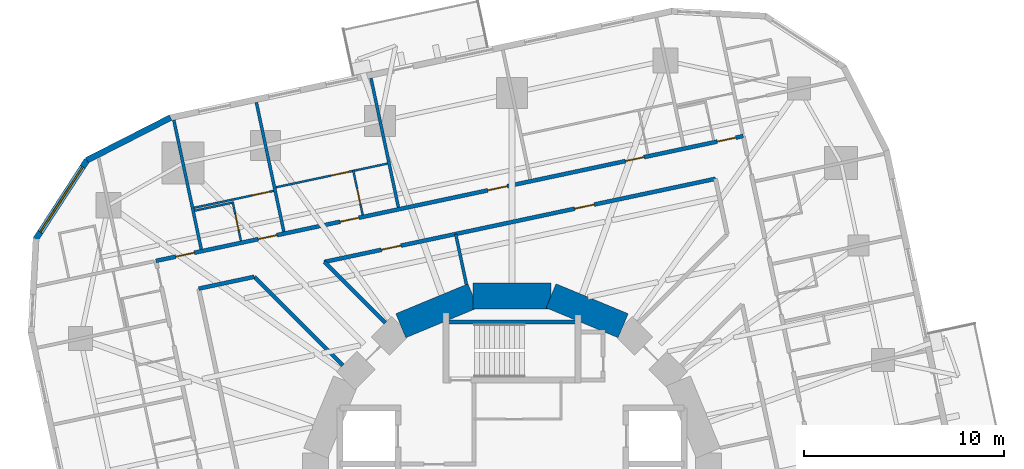
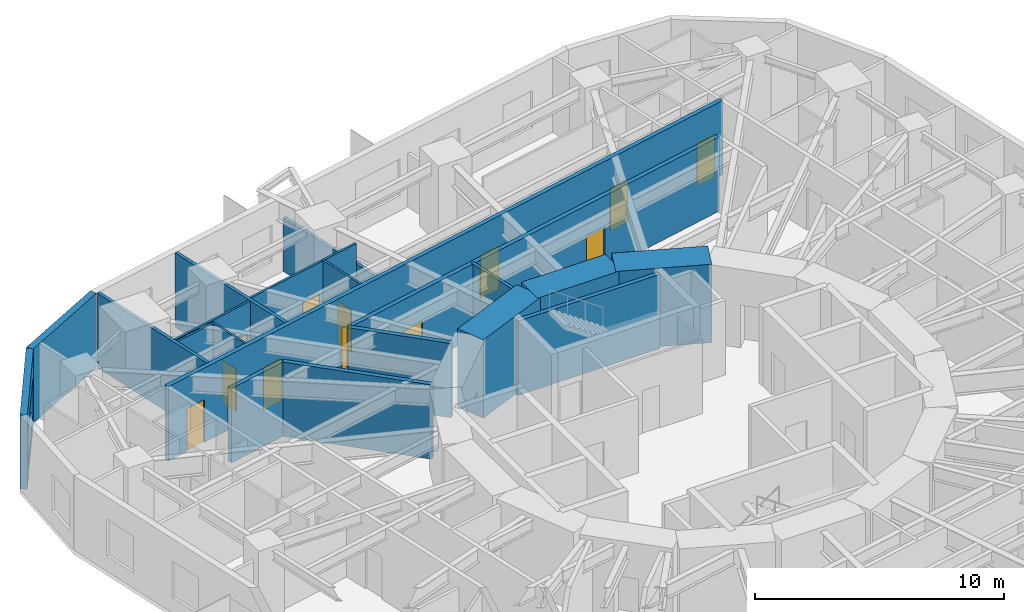
# One storey, part 10 of 14: 21 walls, 12 doors, 1 window, 13 openings.
"""IFC4 building model written with IfcOpenShell, lengths in metres."""

import ifcopenshell
import ifcopenshell.guid

model = None  # the IFC model being written
_history = None  # IfcOwnerHistory: only IFC2X3 demands one
_inside = {}  # id of a spatial element -> (the spatial element, [elements in it])
_under = {}  # id of a project, library or spatial element -> (it, [spatial elements below it])
_declared = {}  # id of a project -> (the project, [libraries it declares])
_typed = {}  # id of a type object -> (the type object, [elements of that type])
_made_of = {}  # id of a material, layer set ... -> (it, [elements and type objects made of it])


def new_model(schema):
    """Start an empty IFC model of exactly this schema.

    Asked for "IFC4X3", IfcOpenShell would pick the latest addendum, in which some entities
    have other attributes; the version numbers below select the first issue.
    IFC2X3 requires an IfcOwnerHistory on every rooted entity: one is made here for all.
    """
    global model, _history
    if schema == "IFC4X3":
        model = ifcopenshell.file(schema_version=(4, 3, 0, 0))
    else:
        model = ifcopenshell.file(schema=schema)
    _inside.clear()
    _under.clear()
    _declared.clear()
    _typed.clear()
    _made_of.clear()
    _history = None
    if model.schema == "IFC2X3":
        org = make("IfcOrganization", Name="unknown")
        user = make(
            "IfcPersonAndOrganization",
            ThePerson=make("IfcPerson", FamilyName="unknown"),
            TheOrganization=org,
        )
        app = make(
            "IfcApplication",
            ApplicationDeveloper=org,
            Version="unknown",
            ApplicationFullName="unknown",
            ApplicationIdentifier="unknown",
        )
        _history = make(
            "IfcOwnerHistory",
            OwningUser=user,
            OwningApplication=app,
            ChangeAction="ADDED",
            CreationDate=0,
        )
    return model


def make(cls, **values):
    """One entity of the class cls with the attributes given. An attribute that is None is left unset."""
    return model.create_entity(
        cls, **{name: value for name, value in values.items() if value is not None}
    )


def rooted(cls, **values):
    """An entity with a GlobalId (a new one), such as an element, a storey or a relation."""
    return make(cls, GlobalId=ifcopenshell.guid.new(), OwnerHistory=_history, **values)


def si_unit(unit_type, name, prefix=None):
    """IfcSIUnit, for example si_unit("LENGTHUNIT", "METRE", prefix="MILLI")."""
    return make("IfcSIUnit", UnitType=unit_type, Prefix=prefix, Name=name)


def assignment(units):
    """IfcUnitAssignment: the units of a project."""
    return None if units is None else make("IfcUnitAssignment", Units=units)


def point(xyz):
    """IfcCartesianPoint."""
    return None if xyz is None else make("IfcCartesianPoint", Coordinates=xyz)


def direction(xyz):
    """IfcDirection."""
    return None if xyz is None else make("IfcDirection", DirectionRatios=xyz)


def frame(location, z_axis=None, x_axis=None):
    """IfcAxis2Placement3D, a coordinate frame: its origin and axes. An axis left out is left unset."""
    return make(
        "IfcAxis2Placement3D",
        Location=point(location),
        Axis=direction(z_axis),
        RefDirection=direction(x_axis),
    )


def frame_2d(location, x_axis=None):
    """IfcAxis2Placement2D, a coordinate frame in the plane: its origin and x axis."""
    return make(
        "IfcAxis2Placement2D", Location=point(location), RefDirection=direction(x_axis)
    )


def origin():
    """The frame at (0, 0, 0) with its axes left unset."""
    return frame((0.0, 0.0, 0.0))


def place(relative_to, where):
    """IfcLocalPlacement: puts the frame where relative to a parent placement (None: the world)."""
    return make(
        "IfcLocalPlacement", PlacementRelTo=relative_to, RelativePlacement=where
    )


def context(
    kind, dimensions, precision=None, world=None, true_north=None, identifier=None
):
    """IfcGeometricRepresentationContext, for example the 3D "Model" context."""
    return make(
        "IfcGeometricRepresentationContext",
        ContextIdentifier=identifier,
        ContextType=kind,
        CoordinateSpaceDimension=dimensions,
        Precision=precision,
        WorldCoordinateSystem=world,
        TrueNorth=true_north,
    )


def subcontext(parent, identifier, kind, view, scale=None):
    """IfcGeometricRepresentationSubContext, for example "Body" below "Model"."""
    return make(
        "IfcGeometricRepresentationSubContext",
        ContextIdentifier=identifier,
        ContextType=kind,
        ParentContext=parent,
        TargetScale=scale,
        TargetView=view,
    )


def project(units=None, contexts=None):
    """IfcProject with its units and contexts."""
    return rooted(
        "IfcProject",
        Name="project",
        RepresentationContexts=contexts,
        UnitsInContext=assignment(units),
    )


def spatial(cls, under=None, at=None, **own):
    """A site, building, storey or space (cls), placed at a placement, below another one or the project."""
    s = rooted(cls, ObjectPlacement=at, **own)
    if under is not None:
        _under.setdefault(under.id(), (under, []))[1].append(s)
    return s


def profile(cls, at=None, kind="AREA", **sizes):
    """A parametric profile (cls). Its sizes go by their IFC names, for example OverallWidth=200.0."""
    return make(cls, ProfileType=kind, Position=at, **sizes)


def rectangle(**sizes):
    """IfcRectangleProfileDef."""
    return profile("IfcRectangleProfileDef", **sizes)


def extrude(swept, where, along, depth):
    """IfcExtrudedAreaSolid: the profile swept, set in the frame where, extruded along a direction by depth."""
    return make(
        "IfcExtrudedAreaSolid",
        SweptArea=swept,
        Position=where,
        ExtrudedDirection=direction(along),
        Depth=depth,
    )


def shape(context_of_items, identifier, shape_type, items):
    """IfcShapeRepresentation: the items that make up one representation, for example the "Body"."""
    return make(
        "IfcShapeRepresentation",
        ContextOfItems=context_of_items,
        RepresentationIdentifier=identifier,
        RepresentationType=shape_type,
        Items=items,
    )


def material(Name=None, Category=None):
    """IfcMaterial."""
    return make("IfcMaterial", Name=Name, Category=Category)


def layer(
    of_material, thickness, ventilated=None, Name=None, Category=None, Priority=None
):
    """IfcMaterialLayer: one layer of a wall or slab, of a material (None: an air gap)."""
    return make(
        "IfcMaterialLayer",
        Material=of_material,
        LayerThickness=thickness,
        IsVentilated=ventilated,
        Name=Name,
        Category=Category,
        Priority=Priority,
    )


def layer_set(layers, Name=None):
    """IfcMaterialLayerSet."""
    return make("IfcMaterialLayerSet", MaterialLayers=layers, LayerSetName=Name)


def made_of(thing, what):
    """Note that an element or type object is made of a material, layer set ...; save() writes the relation."""
    if what is not None:
        _made_of.setdefault(what.id(), (what, []))[1].append(thing)
    return thing


def type_object(cls, material=None, **own):
    """A type object (cls), such as IfcWallType, which elements share."""
    return made_of(rooted(cls, **own), material)


def element(
    cls,
    number,
    at=None,
    inside=None,
    cuts=None,
    type_object=None,
    material=None,
    context=None,
    identifier="Body",
    shape_type=None,
    held_by="IfcProductDefinitionShape",
    body=None,
    shapes=None,
    **own,
):
    """One element of the class cls, such as IfcWall. Its Tag is "e" and its number.

    at: its placement. inside: the storey or other place that contains it. cuts: it is an
    opening in that element (IfcRelVoidsElement). A single representation is given by context,
    identifier, shape_type and body (its items); several are given by shapes. held_by: the class
    of the entity that holds the representations. save() writes the other relations.
    """
    e = rooted(cls, Tag="e%d" % number, ObjectPlacement=at, **own)
    if body is not None:
        shapes = [shape(context, identifier, shape_type, body)]
    if shapes is not None:
        e.Representation = make(held_by, Representations=shapes)
    if inside is not None:
        _inside.setdefault(inside.id(), (inside, []))[1].append(e)
    if cuts is not None:
        rooted(
            "IfcRelVoidsElement", RelatingBuildingElement=cuts, RelatedOpeningElement=e
        )
    if type_object is not None:
        _typed.setdefault(type_object.id(), (type_object, []))[1].append(e)
    return made_of(e, material)


def fill(opening, filler):
    """IfcRelFillsElement: the door or window that sits in an opening."""
    return rooted(
        "IfcRelFillsElement",
        RelatingOpeningElement=opening,
        RelatedBuildingElement=filler,
    )


def aggregate(whole, parts):
    """IfcRelAggregates: a whole, such as a stair, and the parts it consists of."""
    return rooted("IfcRelAggregates", RelatingObject=whole, RelatedObjects=parts)


def save(model, path):
    """Write the relations noted so far, then the file.

    IfcRelAggregates (storeys below a building ...), IfcRelContainedInSpatialStructure (elements
    in a storey), IfcRelDefinesByType, IfcRelAssociatesMaterial and IfcRelDeclares: one each for
    every whole, place, type object, material and project.
    """
    for whole, parts in _under.values():
        aggregate(whole, parts)
    for where, things in _inside.values():
        rooted(
            "IfcRelContainedInSpatialStructure",
            RelatedElements=things,
            RelatingStructure=where,
        )
    for kind, things in _typed.values():
        rooted("IfcRelDefinesByType", RelatedObjects=things, RelatingType=kind)
    for what, things in _made_of.values():
        rooted("IfcRelAssociatesMaterial", RelatedObjects=things, RelatingMaterial=what)
    for by, libraries in _declared.values():
        rooted("IfcRelDeclares", RelatingContext=by, RelatedDefinitions=libraries)
    model.write(path)


model = new_model("IFC4")

# Units and contexts
model_context = context("Model", 3, precision=1e-05, world=origin(), true_north=direction((0.0, 1.0)))
body_context = subcontext(model_context, "Body", "Model", "MODEL_VIEW")
ifc_project = project(units=[si_unit("LENGTHUNIT", "METRE"), si_unit("AREAUNIT", "SQUARE_METRE"), si_unit("VOLUMEUNIT", "CUBIC_METRE"), si_unit("PLANEANGLEUNIT", "RADIAN"), si_unit("MASSUNIT", "GRAM", prefix="KILO")], contexts=[model_context])

# Site, building, storey
site_placement = place(None, origin())
site = spatial("IfcSite", under=ifc_project, at=site_placement, CompositionType="ELEMENT")
building_placement = place(site_placement, origin())
building = spatial("IfcBuilding", under=site, at=building_placement, Name="Nakasero Lantern House", CompositionType="ELEMENT")
storey_placement = place(building_placement, frame((0.0, 0.0, 116.550048828125)))
storey = spatial("IfcBuildingStorey", under=building, at=storey_placement, Name="L28", CompositionType="ELEMENT", Elevation=116.550048828125)

# Walls
ifc_material_1 = material(Name="Concrete C50/60", Category="concrete")
ifc_layer_1 = layer(ifc_material_1, 1.300048828125)
ifc_layer_set_1 = layer_set([ifc_layer_1], Name="Core wall 1300")
wall_type_1 = type_object("IfcWallType", Name="Core wall 1300", PredefinedType="SHEAR", material=ifc_layer_set_1)
for number, where, z_axis, x_axis, name in (
    (1, (5.5556640625, 8.314697265625, 0.0), (0.0, 0.0, 1.0), (-0.923876507187, 0.382690736062, 0.0), "Core wall L28 facet 3"),
    (2, (1.950927734375, 9.807861328125, 0.0), (0.0, 0.0, 1.0), (-1.0, 0.0, 0.0), "Core wall L28 facet 4"),
    (3, (-1.950927734375, 9.807861328125, 0.0), (0.0, 0.0, 1.0), (-0.923876507187, -0.382690736062, 0.0), "Core wall L28 facet 5"),
):
    element("IfcWall", number, at=place(storey_placement, frame(where, z_axis=z_axis, x_axis=x_axis)), inside=storey, type_object=wall_type_1, Name=name, PredefinedType="SHEAR", context=body_context, shape_type="SweptSolid", body=[
        extrude(rectangle(XDim=3.90185546875, YDim=1.300048828125, at=frame_2d((1.950927734375, 0.0))), origin(), (0.0, 0.0, 1.0), 3.849853515625),
    ])

# Wall, openings, doors
ifc_material_2 = material(Name="Blockwork", Category="masonry")
ifc_layer_2 = layer(ifc_material_2, 0.199951171875)
ifc_layer_set_2 = layer_set([ifc_layer_2], Name="Corridor wall 200")
wall_type_2 = type_object("IfcWallType", Name="Corridor wall 200", PredefinedType="PARTITIONING", material=ifc_layer_set_2)
wall_1_placement = place(storey_placement, frame((11.553466796875, 17.790771484375, 0.0), z_axis=(0.0, 0.0, 1.0), x_axis=(-0.978147639417, -0.207911508826, 0.0)))
wall_1 = element("IfcWall", 4, at=wall_1_placement, inside=storey, type_object=wall_type_2, Name="Corridor wall L28 CW1", PredefinedType="PARTITIONING", context=body_context, shape_type="SweptSolid", body=[
    extrude(rectangle(XDim=29.999755859375, YDim=0.199951171875, at=frame_2d((15.0, 0.0))), origin(), (0.0, 0.0, 1.0), 3.64990234375),
])
opening_1_placement = place(wall_1_placement, frame((0.375, 0.0, 0.0)))
opening_1 = element("IfcOpeningElement", 5, at=opening_1_placement, cuts=wall_1, Name="Opening D01", PredefinedType="OPENING", context=body_context, shape_type="SweptSolid", body=[
    extrude(rectangle(XDim=0.949951171875, YDim=2.10009765625, at=frame_2d((0.47509765625, 1.050048828125))), frame((0.0, 0.119873046875, 0.0), z_axis=(0.0, -1.0, 0.0), x_axis=(1.0, 0.0, 0.0)), (0.0, 0.0, 1.0), 0.239990234375),
])
opening_2_placement = place(wall_1_placement, frame((5.066162109375, 0.0, 0.0)))
opening_2 = element("IfcOpeningElement", 6, at=opening_2_placement, cuts=wall_1, Name="Opening D01", PredefinedType="OPENING", context=body_context, shape_type="SweptSolid", body=[
    extrude(rectangle(XDim=0.949951171875, YDim=2.10009765625, at=frame_2d((0.47509765625, 1.050048828125))), frame((0.0, 0.119873046875, 0.0), z_axis=(0.0, -1.0, 0.0), x_axis=(1.0, 0.0, 0.0)), (0.0, 0.0, 1.0), 0.239990234375),
])
opening_3_placement = place(wall_1_placement, frame((19.642578125, 0.0, 0.0)))
opening_3 = element("IfcOpeningElement", 7, at=opening_3_placement, cuts=wall_1, Name="Opening D01", PredefinedType="OPENING", context=body_context, shape_type="SweptSolid", body=[
    extrude(rectangle(XDim=0.949951171875, YDim=2.10009765625, at=frame_2d((0.47509765625, 1.050048828125))), frame((0.0, 0.119873046875, 0.0), z_axis=(0.0, -1.0, 0.0), x_axis=(1.0, 0.0, 0.0)), (0.0, 0.0, 1.0), 0.239990234375),
])
opening_4_placement = place(wall_1_placement, frame((23.8203125, 0.0, 0.0)))
opening_4 = element("IfcOpeningElement", 8, at=opening_4_placement, cuts=wall_1, Name="Opening D01", PredefinedType="OPENING", context=body_context, shape_type="SweptSolid", body=[
    extrude(rectangle(XDim=0.949951171875, YDim=2.10009765625, at=frame_2d((0.47509765625, 1.050048828125))), frame((0.0, 0.119873046875, 0.0), z_axis=(0.0, -1.0, 0.0), x_axis=(1.0, 0.0, 0.0)), (0.0, 0.0, 1.0), 0.239990234375),
])
opening_5_placement = place(wall_1_placement, frame((28.038330078125, 0.0, 0.0)))
opening_5 = element("IfcOpeningElement", 9, at=opening_5_placement, cuts=wall_1, Name="Opening D01", PredefinedType="OPENING", context=body_context, shape_type="SweptSolid", body=[
    extrude(rectangle(XDim=0.949951171875, YDim=2.10009765625, at=frame_2d((0.47509765625, 1.050048828125))), frame((0.0, 0.119873046875, 0.0), z_axis=(0.0, -1.0, 0.0), x_axis=(1.0, 0.0, 0.0)), (0.0, 0.0, 1.0), 0.239990234375),
])
opening_6_placement = place(wall_1_placement, frame((12.05517578125, 0.0, 0.0)))
opening_6 = element("IfcOpeningElement", 10, at=opening_6_placement, cuts=wall_1, Name="Opening D03", PredefinedType="OPENING", context=body_context, shape_type="SweptSolid", body=[
    extrude(rectangle(XDim=1.0, YDim=2.10009765625, at=frame_2d((0.5, 1.050048828125))), frame((0.0, 0.119873046875, 0.0), z_axis=(0.0, -1.0, 0.0), x_axis=(1.0, 0.0, 0.0)), (0.0, 0.0, 1.0), 0.239990234375),
])
ifc_material_3 = material(Name="Timber C24", Category="wood")
door_type_1 = type_object("IfcDoorType", Name="Bedroom door FD30S 950", OperationType="SINGLE_SWING_LEFT", PredefinedType="DOOR", material=ifc_material_3)
door_1_placement = place(opening_1_placement, origin())
door_1 = element("IfcDoor", 11, at=door_1_placement, inside=storey, type_object=door_type_1, Name="Door L28 D1-00", OperationType="SINGLE_SWING_LEFT", OverallHeight=2.10009765625, OverallWidth=0.949951171875, PredefinedType="DOOR", context=body_context, shape_type="SweptSolid", body=[
    extrude(rectangle(XDim=0.949951171875, YDim=2.10009765625, at=frame_2d((0.47509765625, 1.050048828125))), frame((0.0, 0.02490234375, 0.0), z_axis=(0.0, -1.0, 0.0), x_axis=(1.0, 0.0, 0.0)), (0.0, 0.0, 1.0), 0.050048828125),
])
fill(opening_1, door_1)
door_2_placement = place(opening_2_placement, origin())
door_2 = element("IfcDoor", 12, at=door_2_placement, inside=storey, type_object=door_type_1, Name="Door L28 D1-01", OperationType="SINGLE_SWING_LEFT", OverallHeight=2.10009765625, OverallWidth=0.949951171875, PredefinedType="DOOR", context=body_context, shape_type="SweptSolid", body=[
    extrude(rectangle(XDim=0.949951171875, YDim=2.10009765625, at=frame_2d((0.47509765625, 1.050048828125))), frame((0.0, 0.02490234375, 0.0), z_axis=(0.0, -1.0, 0.0), x_axis=(1.0, 0.0, 0.0)), (0.0, 0.0, 1.0), 0.050048828125),
])
fill(opening_2, door_2)
door_3_placement = place(opening_3_placement, origin())
door_3 = element("IfcDoor", 13, at=door_3_placement, inside=storey, type_object=door_type_1, Name="Door L28 D1-05", OperationType="SINGLE_SWING_RIGHT", OverallHeight=2.10009765625, OverallWidth=0.949951171875, PredefinedType="DOOR", context=body_context, shape_type="SweptSolid", body=[
    extrude(rectangle(XDim=0.949951171875, YDim=2.10009765625, at=frame_2d((0.47509765625, 1.050048828125))), frame((0.0, 0.02490234375, 0.0), z_axis=(0.0, -1.0, 0.0), x_axis=(1.0, 0.0, 0.0)), (0.0, 0.0, 1.0), 0.050048828125),
])
fill(opening_3, door_3)
door_4_placement = place(opening_4_placement, origin())
door_4 = element("IfcDoor", 14, at=door_4_placement, inside=storey, type_object=door_type_1, Name="Door L28 D1-07", OperationType="SINGLE_SWING_RIGHT", OverallHeight=2.10009765625, OverallWidth=0.949951171875, PredefinedType="DOOR", context=body_context, shape_type="SweptSolid", body=[
    extrude(rectangle(XDim=0.949951171875, YDim=2.10009765625, at=frame_2d((0.47509765625, 1.050048828125))), frame((0.0, 0.02490234375, 0.0), z_axis=(0.0, -1.0, 0.0), x_axis=(1.0, 0.0, 0.0)), (0.0, 0.0, 1.0), 0.050048828125),
])
fill(opening_4, door_4)
door_5_placement = place(opening_5_placement, origin())
door_5 = element("IfcDoor", 15, at=door_5_placement, inside=storey, type_object=door_type_1, Name="Door L28 D1-08", OperationType="SINGLE_SWING_RIGHT", OverallHeight=2.10009765625, OverallWidth=0.949951171875, PredefinedType="DOOR", context=body_context, shape_type="SweptSolid", body=[
    extrude(rectangle(XDim=0.949951171875, YDim=2.10009765625, at=frame_2d((0.47509765625, 1.050048828125))), frame((0.0, 0.02490234375, 0.0), z_axis=(0.0, -1.0, 0.0), x_axis=(1.0, 0.0, 0.0)), (0.0, 0.0, 1.0), 0.050048828125),
])
fill(opening_5, door_5)
ifc_material_4 = material(Name="Timber C24", Category="wood")
door_type_2 = type_object("IfcDoorType", Name="Lounge door FD30S 1000", OperationType="SINGLE_SWING_LEFT", PredefinedType="DOOR", material=ifc_material_4)
door_6_placement = place(opening_6_placement, origin())
door_6 = element("IfcDoor", 16, at=door_6_placement, inside=storey, type_object=door_type_2, Name="Door L28 DK1", OperationType="SINGLE_SWING_LEFT", OverallHeight=2.10009765625, OverallWidth=1.0, PredefinedType="DOOR", context=body_context, shape_type="SweptSolid", body=[
    extrude(rectangle(XDim=1.0, YDim=2.10009765625, at=frame_2d((0.5, 1.050048828125))), frame((0.0, 0.02490234375, 0.0), z_axis=(0.0, -1.0, 0.0), x_axis=(1.0, 0.0, 0.0)), (0.0, 0.0, 1.0), 0.050048828125),
])
fill(opening_6, door_6)

wall_2_placement = place(storey_placement, frame((10.1669921875, 15.656005859375, 0.0), z_axis=(0.0, 0.0, 1.0), x_axis=(-0.978147920132, -0.20791018816, 0.0)))
wall_2 = element("IfcWall", 17, at=wall_2_placement, inside=storey, type_object=wall_type_2, Name="Corridor wall L28 IW1-0", PredefinedType="PARTITIONING", context=body_context, shape_type="SweptSolid", body=[
    extrude(rectangle(XDim=19.983642578125, YDim=0.199951171875, at=frame_2d((9.99169921875, 0.0))), origin(), (0.0, 0.0, 1.0), 3.64990234375),
])
opening_7_placement = place(wall_2_placement, frame((6.197509765625, 0.0, 0.0)))
opening_7 = element("IfcOpeningElement", 18, at=opening_7_placement, cuts=wall_2, Name="Opening D07", PredefinedType="OPENING", context=body_context, shape_type="SweptSolid", body=[
    extrude(rectangle(XDim=1.0, YDim=2.10009765625, at=frame_2d((0.5, 1.050048828125))), frame((0.0, 0.119873046875, 0.0), z_axis=(0.0, -1.0, 0.0), x_axis=(1.0, 0.0, 0.0)), (0.0, 0.0, 1.0), 0.239990234375),
])
opening_8_placement = place(wall_2_placement, frame((16.064208984375, 0.0, 0.0)))
opening_8 = element("IfcOpeningElement", 19, at=opening_8_placement, cuts=wall_2, Name="Opening D07", PredefinedType="OPENING", context=body_context, shape_type="SweptSolid", body=[
    extrude(rectangle(XDim=1.0, YDim=2.10009765625, at=frame_2d((0.5, 1.050048828125))), frame((0.0, 0.119873046875, 0.0), z_axis=(0.0, -1.0, 0.0), x_axis=(1.0, 0.0, 0.0)), (0.0, 0.0, 1.0), 0.239990234375),
])
ifc_material_5 = material(Name="Timber C24", Category="wood")
door_type_3 = type_object("IfcDoorType", Name="Room door FD30S 1000", OperationType="SINGLE_SWING_LEFT", PredefinedType="DOOR", material=ifc_material_5)
door_7_placement = place(opening_7_placement, origin())
door_7 = element("IfcDoor", 20, at=door_7_placement, inside=storey, type_object=door_type_3, Name="Door L28 DI5", OperationType="SINGLE_SWING_LEFT", OverallHeight=2.10009765625, OverallWidth=1.0, PredefinedType="DOOR", context=body_context, shape_type="SweptSolid", body=[
    extrude(rectangle(XDim=1.0, YDim=2.10009765625, at=frame_2d((0.5, 1.050048828125))), frame((0.0, 0.02490234375, 0.0), z_axis=(0.0, -1.0, 0.0), x_axis=(1.0, 0.0, 0.0)), (0.0, 0.0, 1.0), 0.050048828125),
])
fill(opening_7, door_7)
door_8_placement = place(opening_8_placement, origin())
door_8 = element("IfcDoor", 21, at=door_8_placement, inside=storey, type_object=door_type_3, Name="Door L28 DI6", OperationType="SINGLE_SWING_RIGHT", OverallHeight=2.10009765625, OverallWidth=1.0, PredefinedType="DOOR", context=body_context, shape_type="SweptSolid", body=[
    extrude(rectangle(XDim=1.0, YDim=2.10009765625, at=frame_2d((0.5, 1.050048828125))), frame((0.0, 0.02490234375, 0.0), z_axis=(0.0, -1.0, 0.0), x_axis=(1.0, 0.0, 0.0)), (0.0, 0.0, 1.0), 0.050048828125),
])
fill(opening_8, door_8)

# Walls
wall_3_placement = place(storey_placement, frame((-12.878662109375, 10.75732421875, 0.0), z_axis=(0.0, 0.0, 1.0), x_axis=(-0.97814836043, -0.207908116695, 0.0)))
element("IfcWall", 22, at=wall_3_placement, inside=storey, type_object=wall_type_2, Name="Corridor wall L28 IW1-1", PredefinedType="PARTITIONING", context=body_context, shape_type="SweptSolid", body=[
    extrude(rectangle(XDim=2.83935546875, YDim=0.199951171875, at=frame_2d((1.419677734375, 0.0))), origin(), (0.0, 0.0, 1.0), 3.64990234375),
])
wall_4_placement = place(storey_placement, frame((-8.45556640625, 6.334228515625, 0.0), z_axis=(0.0, 0.0, 1.0), x_axis=(-0.707106781187, 0.707106781187, 0.0)))
element("IfcWall", 23, at=wall_4_placement, inside=storey, type_object=wall_type_2, Name="Corridor wall L28 PS06a", PredefinedType="PARTITIONING", context=body_context, shape_type="SweptSolid", body=[
    extrude(rectangle(XDim=6.255126953125, YDim=0.199951171875, at=frame_2d((3.12744140625, 0.0))), origin(), (0.0, 0.0, 1.0), 3.64990234375),
])
wall_5_placement = place(storey_placement, frame((-6.334228515625, 8.45556640625, 0.0), z_axis=(0.0, 0.0, 1.0), x_axis=(-0.707106781187, 0.707106781187, 0.0)))
element("IfcWall", 24, at=wall_5_placement, inside=storey, type_object=wall_type_2, Name="Corridor wall L28 PS06b", PredefinedType="PARTITIONING", context=body_context, shape_type="SweptSolid", body=[
    extrude(rectangle(XDim=4.30712890625, YDim=0.199951171875, at=frame_2d((2.153564453125, 0.0))), origin(), (0.0, 0.0, 1.0), 3.64990234375),
])

# Wall, opening, door
ifc_material_6 = material(Name="Blockwork", Category="masonry")
ifc_layer_3 = layer(ifc_material_6, 0.10009765625)
ifc_layer_set_3 = layer_set([ifc_layer_3], Name="En-suite wall 100")
wall_type_3 = type_object("IfcWallType", Name="En-suite wall 100", PredefinedType="PARTITIONING", material=ifc_layer_set_3)
wall_6_placement = place(storey_placement, frame((-7.46044921875, 13.8515625, 0.0), z_axis=(0.0, 0.0, 1.0), x_axis=(-0.207941273027, 0.978141312374, 0.0)))
wall_6 = element("IfcWall", 25, at=wall_6_placement, inside=storey, type_object=wall_type_3, Name="En-suite wall L28 ES1-05", PredefinedType="PARTITIONING", context=body_context, shape_type="SweptSolid", body=[
    extrude(rectangle(XDim=2.300048828125, YDim=0.10009765625, at=frame_2d((1.14990234375, 0.0))), origin(), (0.0, 0.0, 1.0), 3.64990234375),
])
opening_9_placement = place(wall_6_placement, frame((0.550048828125, 0.0, 0.0)))
opening_9 = element("IfcOpeningElement", 26, at=opening_9_placement, cuts=wall_6, Name="Opening D02", PredefinedType="OPENING", context=body_context, shape_type="SweptSolid", body=[
    extrude(rectangle(XDim=0.800048828125, YDim=2.10009765625, at=frame_2d((0.39990234375, 1.050048828125))), frame((0.0, 0.070068359375, 0.0), z_axis=(0.0, -1.0, 0.0), x_axis=(1.0, 0.0, 0.0)), (0.0, 0.0, 1.0), 0.14013671875),
])
ifc_material_7 = material(Name="Timber C24", Category="wood")
door_type_4 = type_object("IfcDoorType", Name="En-suite door 800", OperationType="SINGLE_SWING_RIGHT", PredefinedType="DOOR", material=ifc_material_7)
door_9_placement = place(opening_9_placement, origin())
door_9 = element("IfcDoor", 27, at=door_9_placement, inside=storey, type_object=door_type_4, Name="Door L28 DE1-05", OperationType="SINGLE_SWING_LEFT", OverallHeight=2.10009765625, OverallWidth=0.800048828125, PredefinedType="DOOR", context=body_context, shape_type="SweptSolid", body=[
    extrude(rectangle(XDim=0.800048828125, YDim=2.10009765625, at=frame_2d((0.39990234375, 1.050048828125))), frame((0.0, 0.02490234375, 0.0), z_axis=(0.0, -1.0, 0.0), x_axis=(1.0, 0.0, 0.0)), (0.0, 0.0, 1.0), 0.050048828125),
])
fill(opening_9, door_9)

# Wall
wall_7_placement = place(storey_placement, frame((-6.216552734375, 16.416259765625, 0.0), z_axis=(0.0, 0.0, 1.0), x_axis=(-0.97813950236, -0.207949787024, 0.0)))
element("IfcWall", 28, at=wall_7_placement, inside=storey, type_object=wall_type_3, Name="En-suite wall L28 EE1-05", PredefinedType="PARTITIONING", context=body_context, shape_type="SweptSolid", body=[
    extrude(rectangle(XDim=1.699951171875, YDim=0.10009765625, at=frame_2d((0.85009765625, 0.0))), origin(), (0.0, 0.0, 1.0), 3.64990234375),
])

# Wall, opening, door
wall_8_placement = place(storey_placement, frame((-13.54541015625, 12.55810546875, 0.0), z_axis=(0.0, 0.0, 1.0), x_axis=(-0.207886494942, 0.978152955943, 0.0)))
wall_8 = element("IfcWall", 29, at=wall_8_placement, inside=storey, type_object=wall_type_3, Name="En-suite wall L28 ES1-07", PredefinedType="PARTITIONING", context=body_context, shape_type="SweptSolid", body=[
    extrude(rectangle(XDim=2.0, YDim=0.10009765625, at=frame_2d((1.0, 0.0))), origin(), (0.0, 0.0, 1.0), 3.64990234375),
])
opening_10_placement = place(wall_8_placement, frame((0.550048828125, 0.0, 0.0)))
opening_10 = element("IfcOpeningElement", 30, at=opening_10_placement, cuts=wall_8, Name="Opening D02", PredefinedType="OPENING", context=body_context, shape_type="SweptSolid", body=[
    extrude(rectangle(XDim=0.800048828125, YDim=2.10009765625, at=frame_2d((0.39990234375, 1.050048828125))), frame((0.0, 0.070068359375, 0.0), z_axis=(0.0, -1.0, 0.0), x_axis=(1.0, 0.0, 0.0)), (0.0, 0.0, 1.0), 0.14013671875),
])
door_10_placement = place(opening_10_placement, origin())
door_10 = element("IfcDoor", 31, at=door_10_placement, inside=storey, type_object=door_type_4, Name="Door L28 DE1-07", OperationType="SINGLE_SWING_LEFT", OverallHeight=2.10009765625, OverallWidth=0.800048828125, PredefinedType="DOOR", context=body_context, shape_type="SweptSolid", body=[
    extrude(rectangle(XDim=0.800048828125, YDim=2.10009765625, at=frame_2d((0.39990234375, 1.050048828125))), frame((0.0, 0.02490234375, 0.0), z_axis=(0.0, -1.0, 0.0), x_axis=(1.0, 0.0, 0.0)), (0.0, 0.0, 1.0), 0.050048828125),
])
fill(opening_10, door_10)

# Wall
wall_9_placement = place(storey_placement, frame((-13.999755859375, 14.455078125, 0.0), z_axis=(0.0, 0.0, 1.0), x_axis=(-0.978147092378, -0.207914082431, 0.0)))
element("IfcWall", 32, at=wall_9_placement, inside=storey, type_object=wall_type_3, Name="En-suite wall L28 EE1-07", PredefinedType="PARTITIONING", context=body_context, shape_type="SweptSolid", body=[
    extrude(rectangle(XDim=1.89990234375, YDim=0.10009765625, at=frame_2d((0.949951171875, 0.0))), origin(), (0.0, 0.0, 1.0), 3.64990234375),
])

# Wall, opening, door
wall_10_placement = place(storey_placement, frame((-7.977294921875, 16.0419921875, 0.0), z_axis=(0.0, 0.0, 1.0), x_axis=(-0.978141676897, -0.207939558327, 0.0)))
wall_10 = element("IfcWall", 33, at=wall_10_placement, inside=storey, type_object=wall_type_3, Name="En-suite wall L28 EL1-05", PredefinedType="PARTITIONING", context=body_context, shape_type="SweptSolid", body=[
    extrude(rectangle(XDim=3.902587890625, YDim=0.10009765625, at=frame_2d((1.951171875, 0.0))), origin(), (0.0, 0.0, 1.0), 3.64990234375),
])
opening_11_placement = place(wall_10_placement, frame((0.199951171875, 0.0, 0.0)))
opening_11 = element("IfcOpeningElement", 34, at=opening_11_placement, cuts=wall_10, Name="Opening D17", PredefinedType="OPENING", context=body_context, shape_type="SweptSolid", body=[
    extrude(rectangle(XDim=0.89990234375, YDim=2.10009765625, at=frame_2d((0.449951171875, 1.050048828125))), frame((0.0, 0.070068359375, 0.0), z_axis=(0.0, -1.0, 0.0), x_axis=(1.0, 0.0, 0.0)), (0.0, 0.0, 1.0), 0.14013671875),
])
ifc_material_8 = material(Name="Timber C24", Category="wood")
door_type_5 = type_object("IfcDoorType", Name="Bedroom door FD30S 900", OperationType="SINGLE_SWING_LEFT", PredefinedType="DOOR", material=ifc_material_8)
door_11_placement = place(opening_11_placement, origin())
door_11 = element("IfcDoor", 35, at=door_11_placement, inside=storey, type_object=door_type_5, Name="Door L28 DL1-05", OperationType="SINGLE_SWING_LEFT", OverallHeight=2.10009765625, OverallWidth=0.89990234375, PredefinedType="DOOR", context=body_context, shape_type="SweptSolid", body=[
    extrude(rectangle(XDim=0.89990234375, YDim=2.10009765625, at=frame_2d((0.449951171875, 1.050048828125))), frame((0.0, 0.02490234375, 0.0), z_axis=(0.0, -1.0, 0.0), x_axis=(1.0, 0.0, 0.0)), (0.0, 0.0, 1.0), 0.050048828125),
])
fill(opening_11, door_11)

wall_11_placement = place(storey_placement, frame((-11.91015625, 15.052734375, 0.0), z_axis=(0.0, 0.0, 1.0), x_axis=(-0.978141002414, -0.207942731049, 0.0)))
wall_11 = element("IfcWall", 36, at=wall_11_placement, inside=storey, type_object=wall_type_3, Name="En-suite wall L28 EL1-07", PredefinedType="PARTITIONING", context=body_context, shape_type="SweptSolid", body=[
    extrude(rectangle(XDim=4.068115234375, YDim=0.10009765625, at=frame_2d((2.0341796875, 0.0))), origin(), (0.0, 0.0, 1.0), 3.64990234375),
])
opening_12_placement = place(wall_11_placement, frame((0.199951171875, 0.0, 0.0)))
opening_12 = element("IfcOpeningElement", 37, at=opening_12_placement, cuts=wall_11, Name="Opening D17", PredefinedType="OPENING", context=body_context, shape_type="SweptSolid", body=[
    extrude(rectangle(XDim=0.89990234375, YDim=2.10009765625, at=frame_2d((0.449951171875, 1.050048828125))), frame((0.0, 0.070068359375, 0.0), z_axis=(0.0, -1.0, 0.0), x_axis=(1.0, 0.0, 0.0)), (0.0, 0.0, 1.0), 0.14013671875),
])
door_12_placement = place(opening_12_placement, origin())
door_12 = element("IfcDoor", 38, at=door_12_placement, inside=storey, type_object=door_type_5, Name="Door L28 DL1-07", OperationType="SINGLE_SWING_LEFT", OverallHeight=2.10009765625, OverallWidth=0.89990234375, PredefinedType="DOOR", context=body_context, shape_type="SweptSolid", body=[
    extrude(rectangle(XDim=0.89990234375, YDim=2.10009765625, at=frame_2d((0.449951171875, 1.050048828125))), frame((0.0, 0.02490234375, 0.0), z_axis=(0.0, -1.0, 0.0), x_axis=(1.0, 0.0, 0.0)), (0.0, 0.0, 1.0), 0.050048828125),
])
fill(opening_12, door_12)

# Wall
ifc_material_9 = material(Name="Aluminium rainscreen on blockwork", Category="masonry")
ifc_layer_4 = layer(ifc_material_9, 0.300048828125)
ifc_layer_set_4 = layer_set([ifc_layer_4], Name="Facade wall 300")
wall_type_4 = type_object("IfcWallType", Name="Facade wall 300", PredefinedType="SOLIDWALL", material=ifc_layer_set_4)
wall_12_placement = place(storey_placement, frame((-17.063232421875, 18.711181640625, 0.0), z_axis=(0.0, 0.0, 1.0), x_axis=(-0.89101404178, -0.453975745332, 0.0)))
element("IfcWall", 39, at=wall_12_placement, inside=storey, type_object=wall_type_4, Name="Facade wall L28 FW1C1", PredefinedType="SOLIDWALL", context=body_context, shape_type="SweptSolid", body=[
    extrude(rectangle(XDim=4.6845703125, YDim=0.300048828125, at=frame_2d((2.34228515625, 0.0))), origin(), (0.0, 0.0, 1.0), 3.64990234375),
])

# Wall, opening, window
wall_13_placement = place(storey_placement, frame((-21.2373046875, 16.58447265625, 0.0), z_axis=(0.0, 0.0, 1.0), x_axis=(-0.544605442853, -0.838692381994, 0.0)))
wall_13 = element("IfcWall", 40, at=wall_13_placement, inside=storey, type_object=wall_type_4, Name="Facade wall L28 FW1C2", PredefinedType="SOLIDWALL", context=body_context, shape_type="SweptSolid", body=[
    extrude(rectangle(XDim=4.6845703125, YDim=0.300048828125, at=frame_2d((2.34228515625, 0.0))), origin(), (0.0, 0.0, 1.0), 3.64990234375),
])
opening_13_placement = place(wall_13_placement, frame((0.39990234375, 0.0, 0.75)))
opening_13 = element("IfcOpeningElement", 41, at=opening_13_placement, cuts=wall_13, Name="Opening W238", PredefinedType="OPENING", context=body_context, shape_type="SweptSolid", body=[
    extrude(rectangle(XDim=3.885009765625, YDim=1.800048828125, at=frame_2d((1.9423828125, 0.89990234375))), frame((0.0, 0.169921875, 0.0), z_axis=(0.0, -1.0, 0.0), x_axis=(1.0, 0.0, 0.0)), (0.0, 0.0, 1.0), 0.340087890625),
])
ifc_material_10 = material(Name="Aluminium 6063-T6 and glass", Category="aluminium")
window_type = type_object("IfcWindowType", Name="Corner window 3885x1800", PartitioningType="SINGLE_PANEL", PredefinedType="WINDOW", material=ifc_material_10)
window_placement = place(opening_13_placement, origin())
window = element("IfcWindow", 42, at=window_placement, inside=storey, type_object=window_type, Name="Window L28 WC1", OverallHeight=1.800048828125, OverallWidth=3.885009765625, PartitioningType="SINGLE_PANEL", PredefinedType="WINDOW", context=body_context, shape_type="SweptSolid", body=[
    extrude(rectangle(XDim=3.885009765625, YDim=1.800048828125, at=frame_2d((1.9423828125, 0.89990234375))), frame((0.0, 0.030029296875, 0.0), z_axis=(0.0, -1.0, 0.0), x_axis=(1.0, 0.0, 0.0)), (0.0, 0.0, 1.0), 0.06005859375),
])
fill(opening_13, window)

# Walls
ifc_material_11 = material(Name="Blockwork", Category="masonry")
ifc_layer_5 = layer(ifc_material_11, 0.199951171875)
ifc_layer_set_5 = layer_set([ifc_layer_5], Name="Fire lobby wall 200")
wall_type_5 = type_object("IfcWallType", Name="Fire lobby wall 200", PredefinedType="PARTITIONING", material=ifc_layer_set_5)
wall_14_placement = place(storey_placement, frame((-3.300048828125, 8.5, 0.0), z_axis=(0.0, 0.0, 1.0), x_axis=(1.0, 0.0, 0.0)))
element("IfcWall", 43, at=wall_14_placement, inside=storey, type_object=wall_type_5, Name="Fire lobby wall L28 W-STN", PredefinedType="PARTITIONING", context=body_context, shape_type="SweptSolid", body=[
    extrude(rectangle(XDim=6.60009765625, YDim=0.199951171875, at=frame_2d((3.300048828125, 0.0))), origin(), (0.0, 0.0, 1.0), 3.64990234375),
])
ifc_material_12 = material(Name="Blockwork", Category="masonry")
ifc_layer_6 = layer(ifc_material_12, 0.14990234375)
ifc_layer_set_6 = layer_set([ifc_layer_6], Name="Party wall 150")
wall_type_6 = type_object("IfcWallType", Name="Party wall 150", PredefinedType="PARTITIONING", material=ifc_layer_set_6)
wall_15_placement = place(storey_placement, frame((-5.67529296875, 14.23095703125, 0.0), z_axis=(0.0, 0.0, 1.0), x_axis=(-0.207924673876, 0.978144841009, 0.0)))
element("IfcWall", 44, at=wall_15_placement, inside=storey, type_object=wall_type_6, Name="Party wall L28 PW1-05", PredefinedType="PARTITIONING", context=body_context, shape_type="SweptSolid", body=[
    extrude(rectangle(XDim=6.60009765625, YDim=0.14990234375, at=frame_2d((3.300048828125, 0.0))), origin(), (0.0, 0.0, 1.0), 2.641845703125),
])
for number, where, z_axis, x_axis, name in (
    (45, (-11.400146484375, 13.01416015625, 0.0), (0.0, 0.0, 1.0), (-0.207924673876, 0.978144841009, 0.0), "Party wall L28 PW1-07"),
    (46, (-15.526123046875, 12.13720703125, 0.0), (0.0, 0.0, 1.0), (-0.207924673876, 0.978144841009, 0.0), "Party wall L28 PW1-08"),
):
    element("IfcWall", number, at=place(storey_placement, frame(where, z_axis=z_axis, x_axis=x_axis)), inside=storey, type_object=wall_type_6, Name=name, PredefinedType="PARTITIONING", context=body_context, shape_type="SweptSolid", body=[
        extrude(rectangle(XDim=6.60009765625, YDim=0.14990234375, at=frame_2d((3.300048828125, 0.0))), origin(), (0.0, 0.0, 1.0), 3.64990234375),
    ])
wall_16_placement = place(storey_placement, frame((-2.81298828125, 12.89697265625, 0.0), z_axis=(0.0, 0.0, 1.0), x_axis=(0.20794373203, -0.978140789615, 0.0)))
element("IfcWall", 47, at=wall_16_placement, inside=storey, type_object=wall_type_6, Name="Party wall L28 IM1", PredefinedType="PARTITIONING", context=body_context, shape_type="SweptSolid", body=[
    extrude(rectangle(XDim=2.5771484375, YDim=0.14990234375, at=frame_2d((1.28857421875, 0.0))), origin(), (0.0, 0.0, 1.0), 3.64990234375),
])

save(model, "model.ifc")
